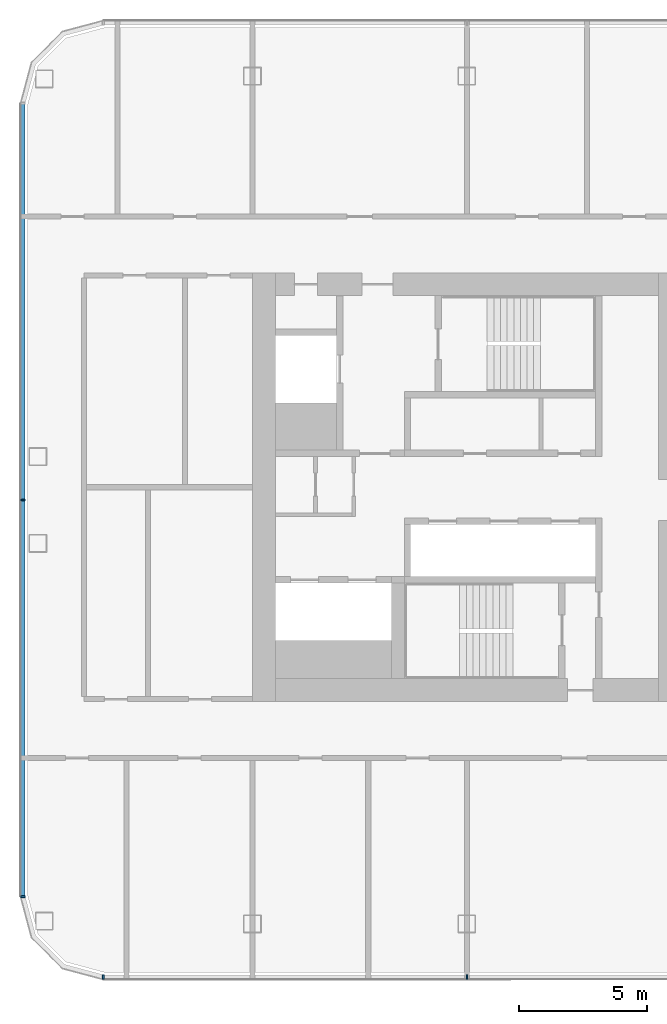
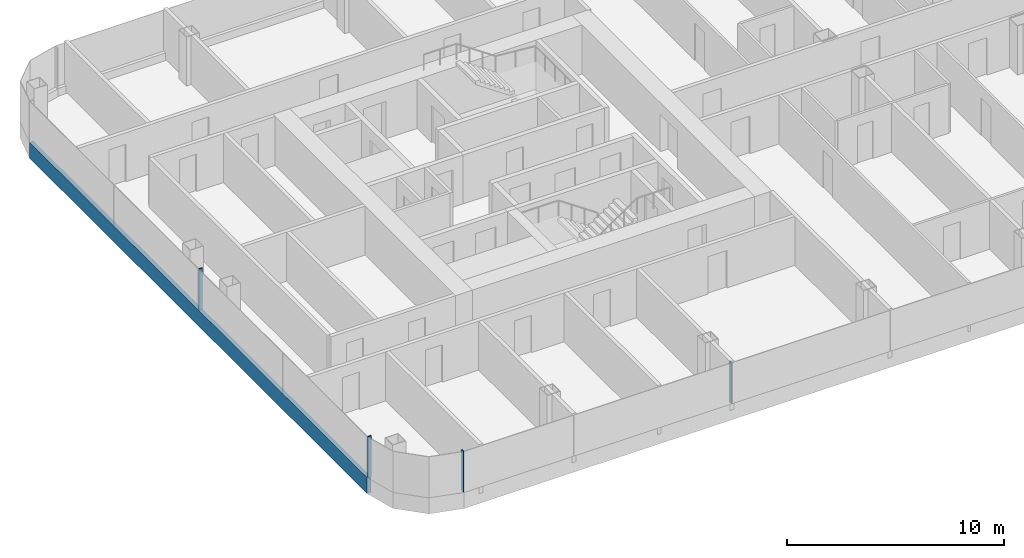
# One storey, part 2 of 26: 5 members, 2 elements without a shape of their own.
"""IFC4 building model written with IfcOpenShell, lengths in metres."""

from ifc_helpers import new_model, si_unit, direction, frame, origin, origin_2d, place, context, subcontext, project, spatial, rectangle, extrude, material, layer, layer_set, material_profile, profile_set, type_object, element, aggregate, save


model = new_model("IFC4")

# Units and contexts
model_context = context("Model", 3, precision=1e-05, world=origin(), true_north=direction((0.0, 1.0)))
body_context = subcontext(model_context, "Body", "Model", "MODEL_VIEW")
ifc_project = project(units=[si_unit("LENGTHUNIT", "METRE"), si_unit("AREAUNIT", "SQUARE_METRE"), si_unit("VOLUMEUNIT", "CUBIC_METRE"), si_unit("PLANEANGLEUNIT", "RADIAN"), si_unit("MASSUNIT", "GRAM", prefix="KILO")], contexts=[model_context])

# Site, building, storey
site_placement = place(None, origin())
site = spatial("IfcSite", under=ifc_project, at=site_placement, CompositionType="ELEMENT")
building_placement = place(site_placement, origin())
building = spatial("IfcBuilding", under=site, at=building_placement, Name="Hakoniwa Tower and Hamabe Station Hall", CompositionType="ELEMENT")
storey_placement = place(building_placement, frame((0.0, 0.0, 159.800048828125)))
storey = spatial("IfcBuildingStorey", under=building, at=storey_placement, Name="L45", CompositionType="ELEMENT", Elevation=159.800048828125)

# Curtain wall, members
ifc_material_1 = material(Name="Dark low-e laminated glass", Category="glass")
ifc_layer = layer(ifc_material_1, 0.199951171875)
ifc_layer_set = layer_set([ifc_layer], Name="CW-1 UNITISED GUEST")
curtain_wall_type = type_object("IfcCurtainWallType", Name="CW-1 UNITISED GUEST", PredefinedType="NOTDEFINED", material=ifc_layer_set)
curtain_wall_1_placement = place(storey_placement, origin())
curtain_wall_1 = element("IfcCurtainWall", 1, at=curtain_wall_1_placement, inside=storey, type_object=curtain_wall_type, Name="CW-1 curtain wall", PredefinedType="NOTDEFINED")
ifc_material_2 = material(Name="Aluminium 6063-T5 black anodised", Category="aluminium")
ifc_material_profile_1 = material_profile(ifc_material_2, rectangle(XDim=0.199951171875, YDim=0.89990234375, at=origin_2d()), Name="CW SLAB-EDGE BAND 900X200")
ifc_profile_set_1 = profile_set([ifc_material_profile_1], Name="Aluminium 6063-T5 black anodised")
member_type_1 = type_object("IfcMemberType", Name="CW SLAB-EDGE BAND 900X200", PredefinedType="USERDEFINED", material=ifc_profile_set_1)
member_1_placement = place(storey_placement, frame((-42.60009765625, 15.03955078125, -0.10009765625), z_axis=(0.0, -1.0, 0.0), x_axis=(1.0, 0.0, 0.0)))
member_1 = element("IfcMember", 2, at=member_1_placement, type_object=member_type_1, Name="CW-1 transom", ObjectType="TRANSOM", PredefinedType="USERDEFINED", context=body_context, shape_type="SweptSolid", body=[
    extrude(rectangle(XDim=0.199951171875, YDim=0.89990234375, at=origin_2d()), origin(), (0.0, 0.0, 1.0), 31.0791015625),
])
ifc_material_3 = material(Name="Aluminium 6063-T5 black anodised", Category="aluminium")
ifc_material_profile_2 = material_profile(ifc_material_3, rectangle(XDim=0.06005859375, YDim=0.179931640625, at=origin_2d()), Name="CW-1 MULLION 60X180")
ifc_profile_set_2 = profile_set([ifc_material_profile_2], Name="Aluminium 6063-T5 black anodised")
member_type_2 = type_object("IfcMemberType", Name="CW-1 MULLION 60X180", PredefinedType="MULLION", material=ifc_profile_set_2)
member_2_placement = place(storey_placement, frame((-42.58203125, -0.5, 0.349853515625), z_axis=(0.0, 0.0, 1.0), x_axis=(0.0, -1.0, 0.0)))
member_2 = element("IfcMember", 3, at=member_2_placement, type_object=member_type_2, Name="CW-1 mullion", PredefinedType="MULLION", context=body_context, shape_type="SweptSolid", body=[
    extrude(rectangle(XDim=0.06005859375, YDim=0.179931640625, at=origin_2d()), origin(), (0.0, 0.0, 1.0), 2.300048828125),
])
member_3_placement = place(storey_placement, frame((-42.58203125, -16.03955078125, 0.349853515625), z_axis=(0.0, 0.0, 1.0), x_axis=(0.0, -1.0, 0.0)))
member_3 = element("IfcMember", 4, at=member_3_placement, type_object=member_type_2, Name="CW-1 mullion", PredefinedType="MULLION", context=body_context, shape_type="SweptSolid", body=[
    extrude(rectangle(XDim=0.06005859375, YDim=0.179931640625, at=origin_2d()), origin(), (0.0, 0.0, 1.0), 2.300048828125),
])
aggregate(curtain_wall_1, [member_2, member_3, member_1])

curtain_wall_2_placement = place(storey_placement, origin())
curtain_wall_2 = element("IfcCurtainWall", 5, at=curtain_wall_2_placement, inside=storey, type_object=curtain_wall_type, Name="CW-1 curtain wall", PredefinedType="NOTDEFINED")
member_4_placement = place(storey_placement, frame((-39.439453125, -19.181884765625, 0.349853515625), z_axis=(0.0, 0.0, 1.0), x_axis=(1.0, 0.0, 0.0)))
member_4 = element("IfcMember", 6, at=member_4_placement, type_object=member_type_2, Name="CW-1 mullion", PredefinedType="MULLION", context=body_context, shape_type="SweptSolid", body=[
    extrude(rectangle(XDim=0.06005859375, YDim=0.179931640625, at=origin_2d()), origin(), (0.0, 0.0, 1.0), 2.300048828125),
])
member_5_placement = place(storey_placement, frame((-25.199951171875, -19.181884765625, 0.349853515625), z_axis=(0.0, 0.0, 1.0), x_axis=(1.0, 0.0, 0.0)))
member_5 = element("IfcMember", 7, at=member_5_placement, type_object=member_type_2, Name="CW-1 mullion", PredefinedType="MULLION", context=body_context, shape_type="SweptSolid", body=[
    extrude(rectangle(XDim=0.06005859375, YDim=0.179931640625, at=origin_2d()), origin(), (0.0, 0.0, 1.0), 2.300048828125),
])
aggregate(curtain_wall_2, [member_4, member_5])

save(model, "model.ifc")
